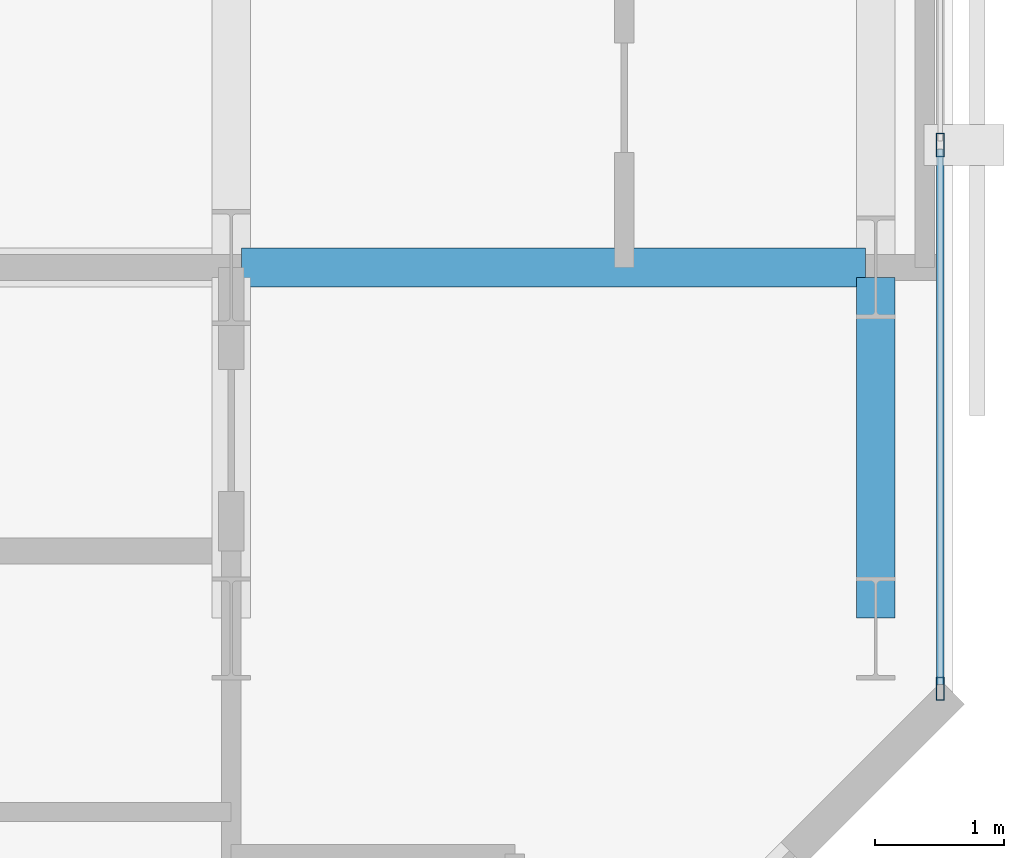
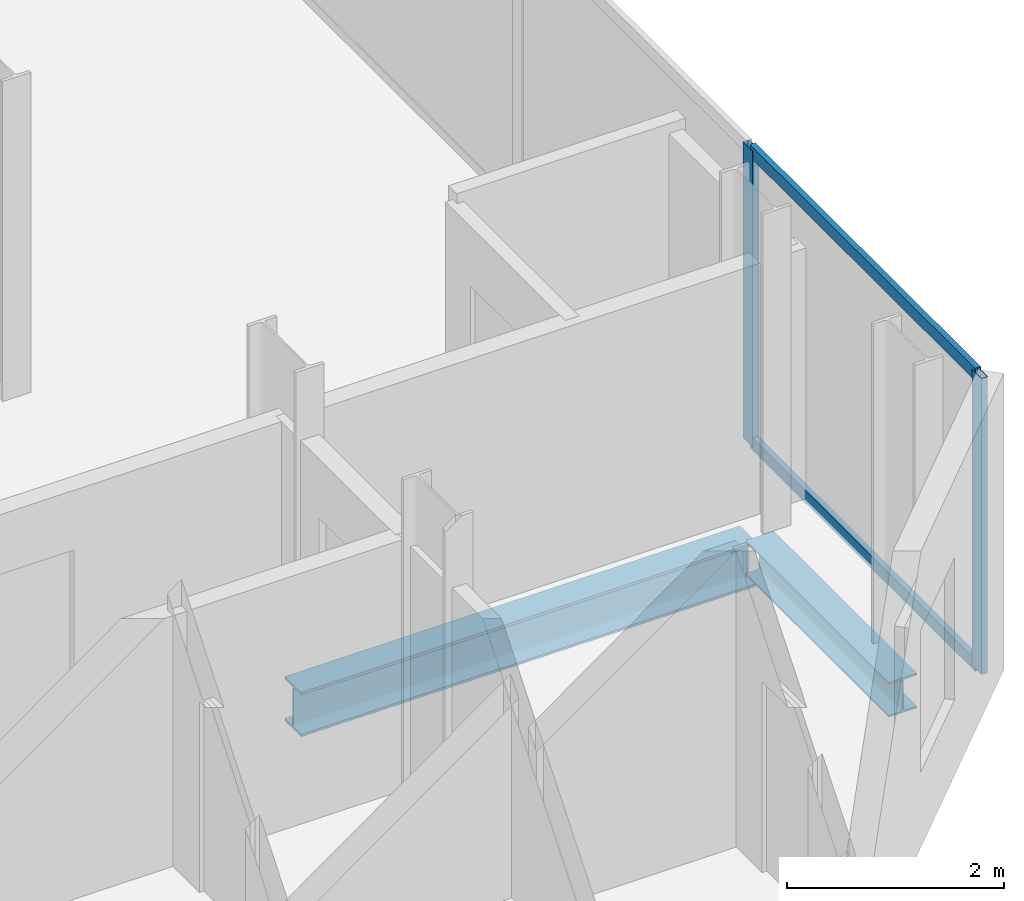
# One storey, part 17 of 33: 4 members, 2 beams, 1 element without a shape of its own.
"""IFC4 building model written with IfcOpenShell, lengths in metres."""

from ifc_helpers import new_model, si_unit, direction, frame, origin, origin_2d, place, context, subcontext, project, spatial, hollow_rectangle, i_section, extrude, material, layer, layer_set, material_profile, profile_set, type_object, element, aggregate, save


model = new_model("IFC4")

# Units and contexts
model_context = context("Model", 3, precision=1e-05, world=origin(), true_north=direction((0.0, 1.0)))
body_context = subcontext(model_context, "Body", "Model", "MODEL_VIEW")
ifc_project = project(units=[si_unit("LENGTHUNIT", "METRE"), si_unit("AREAUNIT", "SQUARE_METRE"), si_unit("VOLUMEUNIT", "CUBIC_METRE"), si_unit("PLANEANGLEUNIT", "RADIAN"), si_unit("MASSUNIT", "GRAM", prefix="KILO")], contexts=[model_context])

# Site, building, storey
site_placement = place(None, origin())
site = spatial("IfcSite", under=ifc_project, at=site_placement, CompositionType="ELEMENT")
building_placement = place(site_placement, origin())
building = spatial("IfcBuilding", under=site, at=building_placement, Name="Catumbela Crestline Tower", CompositionType="ELEMENT")
storey_placement = place(building_placement, frame((0.0, 0.0, 51.0)))
storey = spatial("IfcBuildingStorey", under=building, at=storey_placement, Name="L12", CompositionType="ELEMENT", Elevation=51.0)

# Beam
ifc_material_1 = material(Name="Structural steel S355J2", Category="steel")
ifc_material_profile_1 = material_profile(ifc_material_1, i_section(OverallWidth=0.3, OverallDepth=0.5, WebThickness=0.0145, FlangeThickness=0.028, FilletRadius=0.027, at=origin_2d()), Name="HEB 500")
ifc_profile_set_1 = profile_set([ifc_material_profile_1], Name="Structural steel S355J2")
beam_type_1 = type_object("IfcBeamType", Name="BG-HEB500", PredefinedType="BEAM", material=ifc_profile_set_1)
beam_1_placement = place(storey_placement, frame((50.48, 30.8, -0.51), z_axis=(1.0, 0.0, 0.0), x_axis=(0.0, 1.0, 0.0)))
element("IfcBeam", 1, at=beam_1_placement, inside=storey, type_object=beam_type_1, Name="L12 Beam BM-L12-M12", PredefinedType="BEAM", context=body_context, shape_type="SweptSolid", body=[
    extrude(i_section(OverallWidth=0.3, OverallDepth=0.5, WebThickness=0.0145, FlangeThickness=0.028, FilletRadius=0.027, at=origin_2d()), origin(), (0.0, 0.0, 1.0), 4.84),
])

# Curtain wall, members
ifc_material_2 = material(Name="Aluminium alloy AW-6060-T66", Category="aluminium")
ifc_layer = layer(ifc_material_2, 0.18, Name="Aluminium alloy AW-6060-T66")
ifc_layer_set = layer_set([ifc_layer], Name="Aluminium alloy AW-6060-T66")
curtain_wall_type = type_object("IfcCurtainWallType", Name="CWU-Z1", PredefinedType="USERDEFINED", material=ifc_layer_set)
curtain_wall_placement = place(storey_placement, origin())
curtain_wall = element("IfcCurtainWall", 2, at=curtain_wall_placement, inside=storey, type_object=curtain_wall_type, Name="L12 Unitised Curtain Wall CW-L12-E5S1", ObjectType="UNITISED", PredefinedType="USERDEFINED")
ifc_material_profile_2 = material_profile(ifc_material_2, hollow_rectangle(XDim=0.065, YDim=0.18, WallThickness=0.004, at=origin_2d()), Name="ALU 180x65x4")
ifc_profile_set_2 = profile_set([ifc_material_profile_2], Name="Aluminium alloy AW-6060-T66")
member_type_1 = type_object("IfcMemberType", Name="MUL-180X65", PredefinedType="MULLION", material=ifc_profile_set_2)
member_1_placement = place(storey_placement, frame((55.9, 27.5325, 0.0), z_axis=(0.0, 0.0, 1.0), x_axis=(-1.0, 0.0, 0.0)))
member_1 = element("IfcMember", 3, at=member_1_placement, type_object=member_type_1, Name="CWU-Z1 mullion 1", PredefinedType="MULLION", context=body_context, shape_type="SweptSolid", body=[
    extrude(hollow_rectangle(XDim=0.065, YDim=0.18, WallThickness=0.004, at=origin_2d()), origin(), (0.0, 0.0, 1.0), 3.33),
])
member_2_placement = place(storey_placement, frame((55.9, 31.75, 0.0), z_axis=(0.0, 0.0, 1.0), x_axis=(-1.0, 0.0, 0.0)))
member_2 = element("IfcMember", 4, at=member_2_placement, type_object=member_type_1, Name="CWU-Z1 mullion 2", PredefinedType="MULLION", context=body_context, shape_type="SweptSolid", body=[
    extrude(hollow_rectangle(XDim=0.065, YDim=0.18, WallThickness=0.004, at=origin_2d()), origin(), (0.0, 0.0, 1.0), 3.33),
])

# Beam
ifc_material_profile_3 = material_profile(ifc_material_1, i_section(OverallWidth=0.3, OverallDepth=0.39, WebThickness=0.011, FlangeThickness=0.019, FilletRadius=0.027, at=origin_2d()), Name="HEA 400")
ifc_profile_set_3 = profile_set([ifc_material_profile_3], Name="Structural steel S355J2")
beam_type_2 = type_object("IfcBeamType", Name="BS-HEA400", PredefinedType="SPANDREL", material=ifc_profile_set_3)
beam_2_placement = place(storey_placement, frame((55.4, 28.08, -0.455), z_axis=(0.0, 1.0, 0.0), x_axis=(-1.0, 0.0, 0.0)))
element("IfcBeam", 5, at=beam_2_placement, inside=storey, type_object=beam_type_2, Name="L12 Spandrel SP-L12-SN40", PredefinedType="SPANDREL", context=body_context, shape_type="SweptSolid", body=[
    extrude(i_section(OverallWidth=0.3, OverallDepth=0.39, WebThickness=0.011, FlangeThickness=0.019, FilletRadius=0.027, at=origin_2d()), origin(), (0.0, 0.0, 1.0), 2.64),
])

# Member
ifc_material_profile_4 = material_profile(ifc_material_2, hollow_rectangle(XDim=0.06, YDim=0.14, WallThickness=0.004, at=origin_2d()), Name="ALU 140x60x4")
ifc_profile_set_4 = profile_set([ifc_material_profile_4], Name="Aluminium alloy AW-6060-T66")
member_type_2 = type_object("IfcMemberType", Name="TRN-140X60", PredefinedType="USERDEFINED", material=ifc_profile_set_4)
member_3_placement = place(storey_placement, frame((55.9, 27.565, 0.03), z_axis=(0.0, 1.0, 0.0), x_axis=(-1.0, 0.0, 0.0)))
member_3 = element("IfcMember", 6, at=member_3_placement, type_object=member_type_2, Name="CWU-Z1 transom 1.1", ObjectType="TRANSOM", PredefinedType="USERDEFINED", context=body_context, shape_type="SweptSolid", body=[
    extrude(hollow_rectangle(XDim=0.06, YDim=0.14, WallThickness=0.004, at=origin_2d()), origin(), (0.0, 0.0, 1.0), 4.1525),
])

member_4_placement = place(storey_placement, frame((55.9, 27.565, 3.3), z_axis=(0.0, 1.0, 0.0), x_axis=(-1.0, 0.0, 0.0)))
member_4 = element("IfcMember", 7, at=member_4_placement, type_object=member_type_2, Name="CWU-Z1 transom 1.2", ObjectType="TRANSOM", PredefinedType="USERDEFINED", context=body_context, shape_type="SweptSolid", body=[
    extrude(hollow_rectangle(XDim=0.06, YDim=0.14, WallThickness=0.004, at=origin_2d()), origin(), (0.0, 0.0, 1.0), 4.1525),
])

aggregate(curtain_wall, [member_1, member_2, member_3, member_4])

save(model, "model.ifc")
